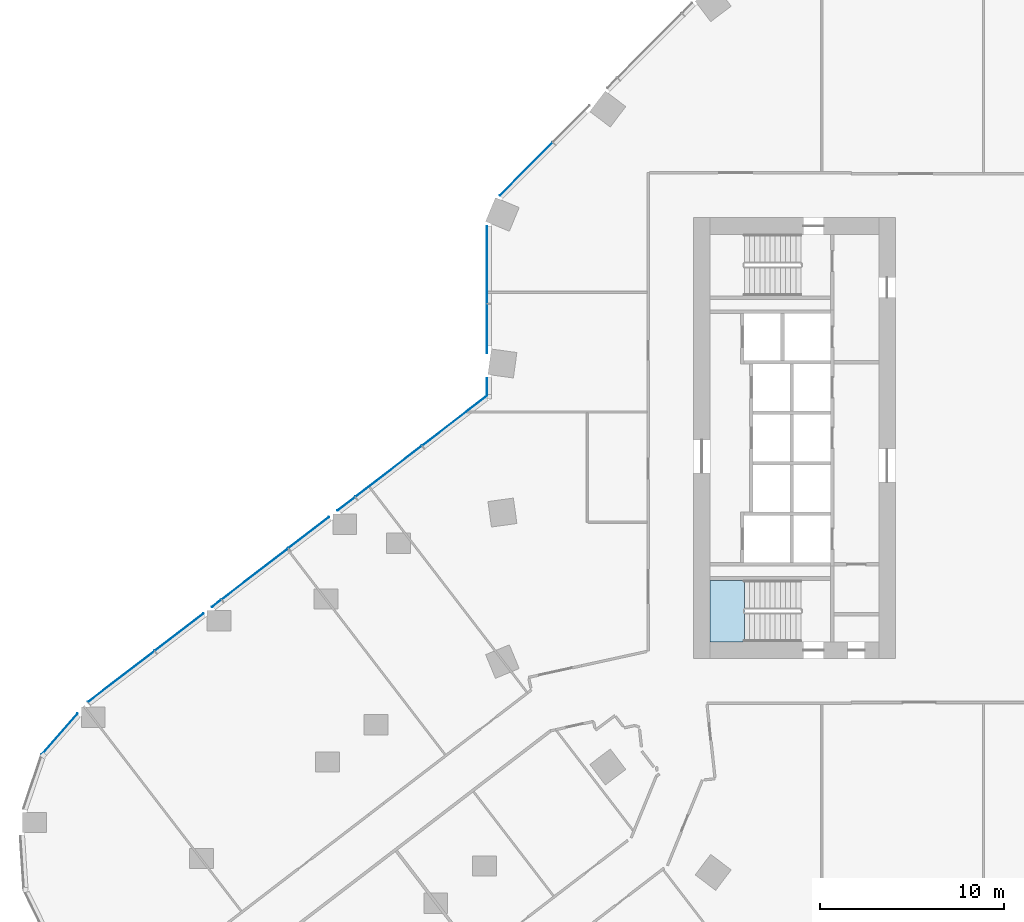
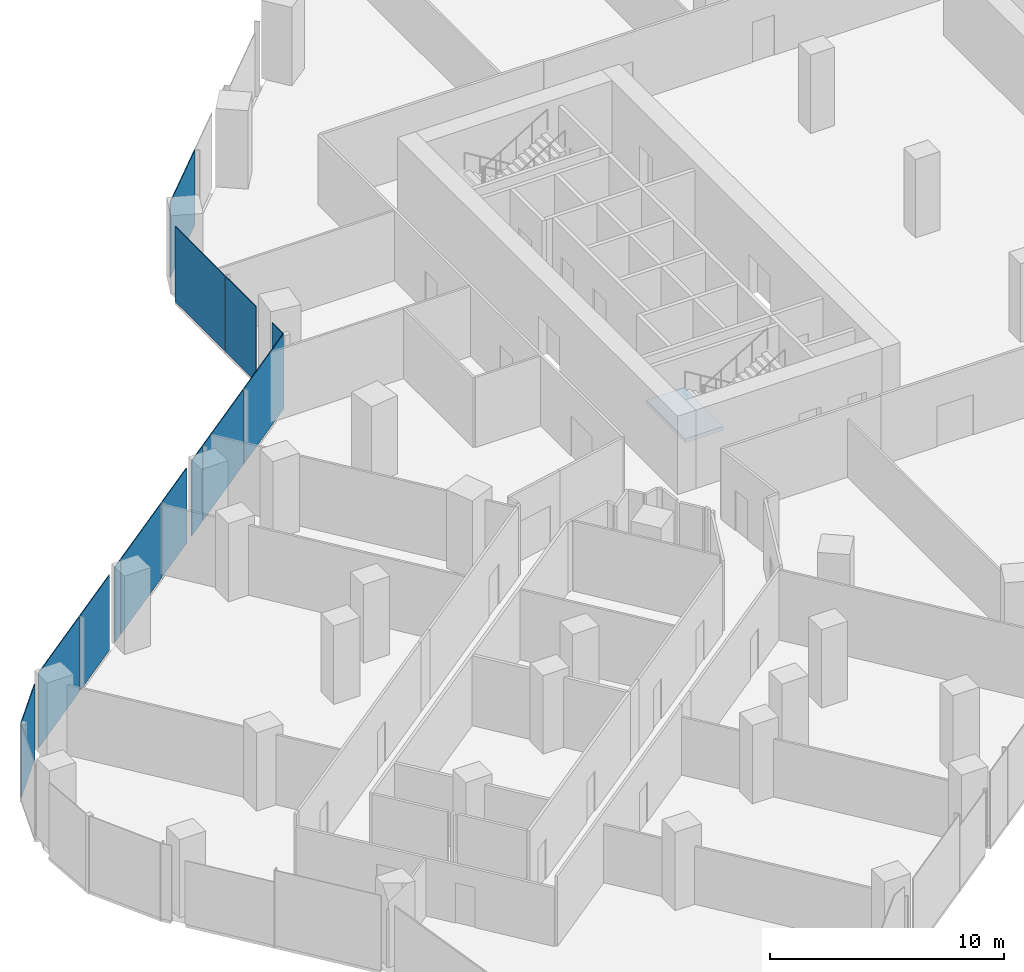
# One storey, part 16 of 29: 13 plates, 1 slab, 5 elements without a shape of their own.
"""IFC4 building model written with IfcOpenShell, lengths in metres."""

from ifc_helpers import new_model, si_unit, direction, frame, origin, origin_2d, place, context, subcontext, project, spatial, polyline, rectangle, outline, extrude, material, layer, layer_set, type_object, element, aggregate, save


model = new_model("IFC4")

# Units and contexts
model_context = context("Model", 3, precision=1e-05, world=origin(), true_north=direction((0.0, 1.0)))
body_context = subcontext(model_context, "Body", "Model", "MODEL_VIEW")
ifc_project = project(units=[si_unit("LENGTHUNIT", "METRE"), si_unit("AREAUNIT", "SQUARE_METRE"), si_unit("VOLUMEUNIT", "CUBIC_METRE"), si_unit("PLANEANGLEUNIT", "RADIAN"), si_unit("MASSUNIT", "GRAM", prefix="KILO")], contexts=[model_context])

# Site, building, storey
site_placement = place(None, origin())
site = spatial("IfcSite", under=ifc_project, at=site_placement, CompositionType="ELEMENT")
building_placement = place(site_placement, origin())
building = spatial("IfcBuilding", under=site, at=building_placement, Name="Orlundy Tower", CompositionType="ELEMENT")
storey_placement = place(building_placement, frame((0.0, 0.0, 29.199951171875)))
storey = spatial("IfcBuildingStorey", under=building, at=storey_placement, Name="L05", CompositionType="ELEMENT", Elevation=29.199951171875)

# Curtain wall, plate
ifc_material_1 = material(Name="Aluminium bronze anodised", Category="aluminium")
curtain_wall_type = type_object("IfcCurtainWallType", Name="CW2 wall", PredefinedType="NOTDEFINED", material=ifc_material_1)
curtain_wall_1_placement = place(storey_placement, origin())
curtain_wall_1 = element("IfcCurtainWall", 1, at=curtain_wall_1_placement, inside=storey, type_object=curtain_wall_type, Name="CW2 run 011", PredefinedType="NOTDEFINED")
ifc_material_2 = material(Name="Tinted glass", Category="glass")
ifc_layer_1 = layer(ifc_material_2, 0.0380859375)
ifc_layer_set_1 = layer_set([ifc_layer_1], Name="CW2 glass panel 38")
plate_type = type_object("IfcPlateType", Name="CW2 glass panel 38", PredefinedType="CURTAIN_PANEL", material=ifc_layer_set_1)
plate_1_placement = place(storey_placement, frame((-53.513916015625, -16.126220703125, -0.25), z_axis=(0.0, 0.0, 1.0), x_axis=(0.65932547196, 0.751857647447, 0.0)))
plate_1 = element("IfcPlate", 2, at=plate_1_placement, type_object=plate_type, Name="CW2 panel", PredefinedType="CURTAIN_PANEL", context=body_context, shape_type="SweptSolid", body=[
    extrude(rectangle(XDim=2.963623046875, YDim=0.0380859375, at=origin_2d()), origin(), (0.0, 0.0, 1.0), 3.929931640625),
])
aggregate(curtain_wall_1, [plate_1])

# Curtain wall, plates
curtain_wall_2_placement = place(storey_placement, origin())
curtain_wall_2 = element("IfcCurtainWall", 3, at=curtain_wall_2_placement, inside=storey, type_object=curtain_wall_type, Name="CW2 run 012", PredefinedType="NOTDEFINED")
plate_2_placement = place(storey_placement, frame((-50.17236328125, -12.997802734375, -0.25), z_axis=(0.0, 0.0, 1.0), x_axis=(0.793348488271, 0.608767752232, 0.0)))
plate_2 = element("IfcPlate", 4, at=plate_2_placement, type_object=plate_type, Name="CW2 panel", PredefinedType="CURTAIN_PANEL", context=body_context, shape_type="SweptSolid", body=[
    extrude(rectangle(XDim=4.5615234375, YDim=0.0380859375, at=origin_2d()), origin(), (0.0, 0.0, 1.0), 3.929931640625),
])
plate_3_placement = place(storey_placement, frame((-47.006591796875, -10.568603515625, -0.25), z_axis=(0.0, 0.0, 1.0), x_axis=(0.793348488271, 0.608767752232, 0.0)))
plate_3 = element("IfcPlate", 5, at=plate_3_placement, type_object=plate_type, Name="CW2 panel", PredefinedType="CURTAIN_PANEL", context=body_context, shape_type="SweptSolid", body=[
    extrude(rectangle(XDim=3.319091796875, YDim=0.0380859375, at=origin_2d()), origin(), (0.0, 0.0, 1.0), 3.929931640625),
])
plate_4_placement = place(storey_placement, frame((-44.975341796875, -9.010009765625, -0.25), z_axis=(0.0, 0.0, 1.0), x_axis=(0.793348488271, 0.608767752232, 0.0)))
plate_4 = element("IfcPlate", 6, at=plate_4_placement, type_object=plate_type, Name="CW2 panel", PredefinedType="CURTAIN_PANEL", context=body_context, shape_type="SweptSolid", body=[
    extrude(rectangle(XDim=0.637451171875, YDim=0.0380859375, at=origin_2d()), origin(), (0.0, 0.0, 1.0), 3.929931640625),
])
plate_5_placement = place(storey_placement, frame((-42.88232421875, -7.404052734375, -0.25), z_axis=(0.0, 0.0, 1.0), x_axis=(0.793348488271, 0.608767752232, 0.0)))
plate_5 = element("IfcPlate", 7, at=plate_5_placement, type_object=plate_type, Name="CW2 panel", PredefinedType="CURTAIN_PANEL", context=body_context, shape_type="SweptSolid", body=[
    extrude(rectangle(XDim=4.538818359375, YDim=0.0380859375, at=origin_2d()), origin(), (0.0, 0.0, 1.0), 3.929931640625),
])
plate_6_placement = place(storey_placement, frame((-39.941650390625, -5.1474609375, -0.25), z_axis=(0.0, 0.0, 1.0), x_axis=(0.793348488271, 0.608767752232, 0.0)))
plate_6 = element("IfcPlate", 8, at=plate_6_placement, type_object=plate_type, Name="CW2 panel", PredefinedType="CURTAIN_PANEL", context=body_context, shape_type="SweptSolid", body=[
    extrude(rectangle(XDim=2.774658203125, YDim=0.0380859375, at=origin_2d()), origin(), (0.0, 0.0, 1.0), 3.929931640625),
])
plate_7_placement = place(storey_placement, frame((-37.909912109375, -3.58837890625, -0.25), z_axis=(0.0, 0.0, 1.0), x_axis=(0.793348488271, 0.608767752232, 0.0)))
plate_7 = element("IfcPlate", 9, at=plate_7_placement, type_object=plate_type, Name="CW2 panel", PredefinedType="CURTAIN_PANEL", context=body_context, shape_type="SweptSolid", body=[
    extrude(rectangle(XDim=1.18115234375, YDim=0.0380859375, at=origin_2d()), origin(), (0.0, 0.0, 1.0), 3.929931640625),
])
plate_8_placement = place(storey_placement, frame((-35.601318359375, -1.81689453125, -0.25), z_axis=(0.0, 0.0, 1.0), x_axis=(0.793348488271, 0.608767752232, 0.0)))
plate_8 = element("IfcPlate", 10, at=plate_8_placement, type_object=plate_type, Name="CW2 panel", PredefinedType="CURTAIN_PANEL", context=body_context, shape_type="SweptSolid", body=[
    extrude(rectangle(XDim=4.538818359375, YDim=0.0380859375, at=origin_2d()), origin(), (0.0, 0.0, 1.0), 3.929931640625),
])
plate_9_placement = place(storey_placement, frame((-31.99609375, 0.949462890625, -0.25), z_axis=(0.0, 0.0, 1.0), x_axis=(0.793348488271, 0.608767752232, 0.0)))
plate_9 = element("IfcPlate", 11, at=plate_9_placement, type_object=plate_type, Name="CW2 panel", PredefinedType="CURTAIN_PANEL", context=body_context, shape_type="SweptSolid", body=[
    extrude(rectangle(XDim=4.449951171875, YDim=0.0380859375, at=origin_2d()), origin(), (0.0, 0.0, 1.0), 3.929931640625),
])
aggregate(curtain_wall_2, [plate_2, plate_3, plate_4, plate_5, plate_6, plate_7, plate_8, plate_9])

curtain_wall_3_placement = place(storey_placement, origin())
curtain_wall_3 = element("IfcCurtainWall", 12, at=curtain_wall_3_placement, inside=storey, type_object=curtain_wall_type, Name="CW2 run 013", PredefinedType="NOTDEFINED")
plate_10_placement = place(storey_placement, frame((-30.23095703125, 2.78466796875, -0.25), z_axis=(0.0, 0.0, 1.0), x_axis=(0.0, 1.0, 0.0)))
plate_10 = element("IfcPlate", 13, at=plate_10_placement, type_object=plate_type, Name="CW2 panel", PredefinedType="CURTAIN_PANEL", context=body_context, shape_type="SweptSolid", body=[
    extrude(rectangle(XDim=0.961181640625, YDim=0.0380859375, at=origin_2d()), origin(), (0.0, 0.0, 1.0), 3.929931640625),
])
plate_11_placement = place(storey_placement, frame((-30.23095703125, 5.951904296875, -0.25), z_axis=(0.0, 0.0, 1.0), x_axis=(0.0, 1.0, 0.0)))
plate_11 = element("IfcPlate", 14, at=plate_11_placement, type_object=plate_type, Name="CW2 panel", PredefinedType="CURTAIN_PANEL", context=body_context, shape_type="SweptSolid", body=[
    extrude(rectangle(XDim=2.662353515625, YDim=0.0380859375, at=origin_2d()), origin(), (0.0, 0.0, 1.0), 3.929931640625),
])
plate_12_placement = place(storey_placement, frame((-30.23095703125, 9.4404296875, -0.25), z_axis=(0.0, 0.0, 1.0), x_axis=(0.0, 1.0, 0.0)))
plate_12 = element("IfcPlate", 15, at=plate_12_placement, type_object=plate_type, Name="CW2 panel", PredefinedType="CURTAIN_PANEL", context=body_context, shape_type="SweptSolid", body=[
    extrude(rectangle(XDim=4.215087890625, YDim=0.0380859375, at=origin_2d()), origin(), (0.0, 0.0, 1.0), 3.929931640625),
])
aggregate(curtain_wall_3, [plate_10, plate_11, plate_12])

# Curtain wall, plate
curtain_wall_4_placement = place(storey_placement, origin())
curtain_wall_4 = element("IfcCurtainWall", 16, at=curtain_wall_4_placement, inside=storey, type_object=curtain_wall_type, Name="CW2 run 014", PredefinedType="NOTDEFINED")
plate_13_placement = place(storey_placement, frame((-28.10400390625, 14.648681640625, -0.25), z_axis=(0.0, 0.0, 1.0), x_axis=(0.707106781187, 0.707106781187, 0.0)))
plate_13 = element("IfcPlate", 17, at=plate_13_placement, type_object=plate_type, Name="CW2 panel", PredefinedType="CURTAIN_PANEL", context=body_context, shape_type="SweptSolid", body=[
    extrude(rectangle(XDim=4.066650390625, YDim=0.0380859375, at=origin_2d()), origin(), (0.0, 0.0, 1.0), 3.929931640625),
])
aggregate(curtain_wall_4, [plate_13])

# Stair, slab
ifc_material_3 = material(Name="Concrete C50/60", Category="concrete")
stair_type = type_object("IfcStairType", Name="Exit Stair 24 risers", PredefinedType="HALF_TURN_STAIR", material=ifc_material_3)
stair_placement = place(storey_placement, origin())
stair = element("IfcStair", 18, at=stair_placement, inside=storey, type_object=stair_type, Name="L05 Exit Stair ST-W2", PredefinedType="HALF_TURN_STAIR")
ifc_material_4 = material(Name="Concrete C50/60", Category="concrete")
ifc_layer_2 = layer(ifc_material_4, 0.199951171875)
ifc_layer_set_2 = layer_set([ifc_layer_2], Name="Exit Stair Landing")
slab_type = type_object("IfcSlabType", Name="Exit Stair Landing", PredefinedType="LANDING", material=ifc_layer_set_2)
slab_placement = place(storey_placement, frame((0.0, 0.0, 1.85009765625)))
slab = element("IfcSlab", 19, at=slab_placement, type_object=slab_type, Name="ST-W2 landing 1", PredefinedType="LANDING", context=body_context, shape_type="SweptSolid", body=[
    extrude(outline(polyline([(-16.219970703125, -7.75), (-18.10009765625, -7.75), (-18.10009765625, -11.10009765625), (-16.219970703125, -11.10009765625), (-16.219970703125, -7.75)])), origin(), (0.0, 0.0, 1.0), 0.199951171875),
])
aggregate(stair, [slab])

save(model, "model.ifc")
